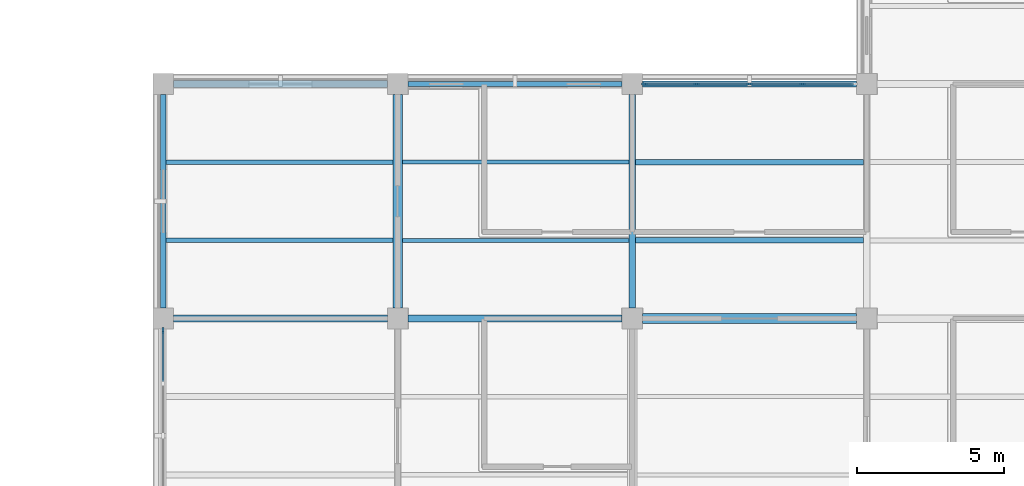
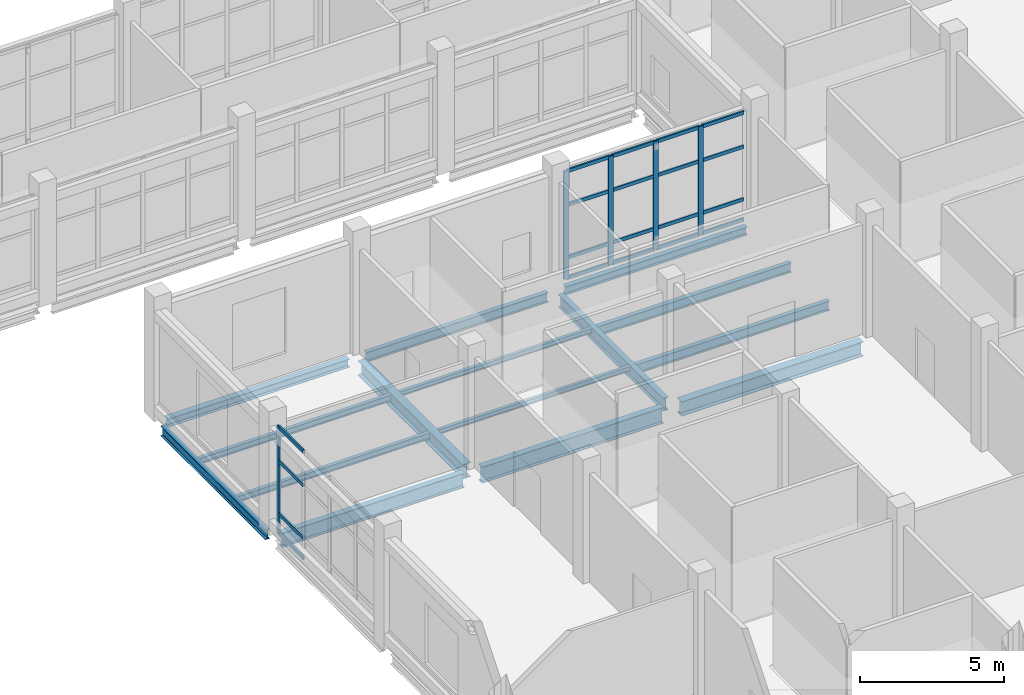
# One storey, part 36 of 105: 25 members, 15 beams, 2 elements without a shape of their own.
"""IFC4 building model written with IfcOpenShell, lengths in metres."""

from ifc_helpers import new_model, si_unit, derived_unit, direction, frame, origin, origin_2d, place, context, subcontext, project, spatial, rectangle, i_section, extrude, material, layer, layer_set, material_profile, profile_set, type_object, element, aggregate, save


model = new_model("IFC4")

# Units and contexts
model_context = context("Model", 3, precision=1e-05, world=origin(), true_north=direction((0.0, 1.0)))
body_context = subcontext(model_context, "Body", "Model", "MODEL_VIEW")
ifc_project = project(units=[si_unit("LENGTHUNIT", "METRE"), si_unit("AREAUNIT", "SQUARE_METRE"), si_unit("VOLUMEUNIT", "CUBIC_METRE"), si_unit("PLANEANGLEUNIT", "RADIAN"), si_unit("MASSUNIT", "GRAM", prefix="KILO"), derived_unit("THERMALTRANSMITTANCEUNIT", [(si_unit("MASSUNIT", "GRAM", prefix="KILO"), 1), (si_unit("TIMEUNIT", "SECOND"), -3), (si_unit("THERMODYNAMICTEMPERATUREUNIT", "KELVIN"), -1)])], contexts=[model_context])

# Site, building, storey
site_placement = place(None, origin())
site = spatial("IfcSite", under=ifc_project, at=site_placement, CompositionType="ELEMENT")
building_placement = place(site_placement, origin())
building = spatial("IfcBuilding", under=site, at=building_placement, Name="Veyamyaing Civic Hall", CompositionType="ELEMENT")
storey_placement = place(building_placement, origin())
storey = spatial("IfcBuildingStorey", under=building, at=storey_placement, Name="L00", CompositionType="ELEMENT", Elevation=0.0)

# Beams
ifc_material_1 = material(Name="Steel ASTM A992", Category="steel")
ifc_material_profile_1 = material_profile(ifc_material_1, i_section(OverallWidth=0.22998046875, OverallDepth=0.616943359375, WebThickness=0.01318359375, FlangeThickness=0.022216796875, FilletRadius=0.012939453125, at=origin_2d()), Name="W610X140")
ifc_profile_set_1 = profile_set([ifc_material_profile_1], Name="Steel ASTM A992")
beam_type_1 = type_object("IfcBeamType", Name="B-05", PredefinedType="BEAM", material=ifc_profile_set_1)
beam_1_placement = place(storey_placement, frame((136.35009765625, 32.0, -0.573486328125), z_axis=(1.0, 0.0, 0.0), x_axis=(0.0, 1.0, 0.0)))
element("IfcBeam", 1, at=beam_1_placement, inside=storey, type_object=beam_type_1, Name="Girder B-05 L00 Grid E 18-19", PredefinedType="BEAM", context=body_context, shape_type="SweptSolid", body=[
    extrude(i_section(OverallWidth=0.22998046875, OverallDepth=0.616943359375, WebThickness=0.01318359375, FlangeThickness=0.022216796875, FilletRadius=0.012939453125, at=origin_2d()), origin(), (0.0, 0.0, 1.0), 7.2998046875),
])
ifc_material_profile_2 = material_profile(ifc_material_1, i_section(OverallWidth=0.179931640625, OverallDepth=0.4130859375, WebThickness=0.009765625, FlangeThickness=0.01611328125, FilletRadius=0.010009765625, at=origin_2d()), Name="W410X74")
ifc_profile_set_2 = profile_set([ifc_material_profile_2], Name="Steel ASTM A992")
beam_type_2 = type_object("IfcBeamType", Name="B-10", PredefinedType="SPANDREL", material=ifc_profile_set_2)
beam_2_placement = place(storey_placement, frame((144.35009765625, 40.0, -0.471435546875), z_axis=(1.0, 0.0, 0.0), x_axis=(0.0, 1.0, 0.0)))
element("IfcBeam", 2, at=beam_2_placement, inside=storey, type_object=beam_type_2, Name="Girder B-10 L00 Grid F 19-20", PredefinedType="SPANDREL", context=body_context, shape_type="SweptSolid", body=[
    extrude(i_section(OverallWidth=0.179931640625, OverallDepth=0.4130859375, WebThickness=0.009765625, FlangeThickness=0.01611328125, FilletRadius=0.010009765625, at=origin_2d()), origin(), (0.0, 0.0, 1.0), 7.2998046875),
])
ifc_material_profile_3 = material_profile(ifc_material_1, i_section(OverallWidth=0.2041015625, OverallDepth=0.35009765625, WebThickness=0.0078125, FlangeThickness=0.01513671875, FilletRadius=0.010009765625, at=origin_2d()), Name="W360X72")
ifc_profile_set_3 = profile_set([ifc_material_profile_3], Name="Steel ASTM A992")
beam_type_3 = type_object("IfcBeamType", Name="B-11", PredefinedType="SPANDREL", material=ifc_profile_set_3)
beam_3_placement = place(storey_placement, frame((152.35009765625, 40.0, -0.43994140625), z_axis=(1.0, 0.0, 0.0), x_axis=(0.0, 1.0, 0.0)))
element("IfcBeam", 3, at=beam_3_placement, inside=storey, type_object=beam_type_3, Name="Girder B-11 L00 Grid F 20-21", PredefinedType="SPANDREL", context=body_context, shape_type="SweptSolid", body=[
    extrude(i_section(OverallWidth=0.2041015625, OverallDepth=0.35009765625, WebThickness=0.0078125, FlangeThickness=0.01513671875, FilletRadius=0.010009765625, at=origin_2d()), origin(), (0.0, 0.0, 1.0), 7.2998046875),
])
ifc_material_profile_4 = material_profile(ifc_material_1, i_section(OverallWidth=0.25390625, OverallDepth=0.68408203125, WebThickness=0.012451171875, FlangeThickness=0.01904296875, FilletRadius=0.013916015625, at=origin_2d()), Name="W690X140")
ifc_profile_set_4 = profile_set([ifc_material_profile_4], Name="Steel ASTM A992")
beam_type_4 = type_object("IfcBeamType", Name="B-14", PredefinedType="BEAM", material=ifc_profile_set_4)
beam_4_placement = place(storey_placement, frame((144.35009765625, 32.0, -0.60693359375), z_axis=(1.0, 0.0, 0.0), x_axis=(0.0, 1.0, 0.0)))
element("IfcBeam", 4, at=beam_4_placement, inside=storey, type_object=beam_type_4, Name="Girder B-14 L00 Grid E 19-20", PredefinedType="BEAM", context=body_context, shape_type="SweptSolid", body=[
    extrude(i_section(OverallWidth=0.25390625, OverallDepth=0.68408203125, WebThickness=0.012451171875, FlangeThickness=0.01904296875, FilletRadius=0.013916015625, at=origin_2d()), origin(), (0.0, 0.0, 1.0), 7.2998046875),
])
ifc_material_profile_5 = material_profile(ifc_material_1, i_section(OverallWidth=0.324951171875, OverallDepth=0.615966796875, WebThickness=0.013916015625, FlangeThickness=0.021484375, FilletRadius=0.013916015625, at=origin_2d()), Name="W610X174")
ifc_profile_set_5 = profile_set([ifc_material_profile_5], Name="Steel ASTM A992")
beam_type_5 = type_object("IfcBeamType", Name="B-15", PredefinedType="BEAM", material=ifc_profile_set_5)
for number, where, z_axis, x_axis, name in (
    (5, (152.35009765625, 32.0, -0.572998046875), (1.0, 0.0, 0.0), (0.0, 1.0, 0.0), "Girder B-15 L00 Grid E 20-21"),
    (6, (144.0, 32.35009765625, -0.572998046875), (0.0, 1.0, 0.0), (-1.0, 0.0, 0.0), "Girder B-15 L00 Grid 19 E-F"),
):
    element("IfcBeam", number, at=place(storey_placement, frame(where, z_axis=z_axis, x_axis=x_axis)), inside=storey, type_object=beam_type_5, Name=name, PredefinedType="BEAM", context=body_context, shape_type="SweptSolid", body=[
        extrude(i_section(OverallWidth=0.324951171875, OverallDepth=0.615966796875, WebThickness=0.013916015625, FlangeThickness=0.021484375, FilletRadius=0.013916015625, at=origin_2d()), origin(), (0.0, 0.0, 1.0), 7.2998046875),
    ])
ifc_material_profile_6 = material_profile(ifc_material_1, i_section(OverallWidth=0.214111328125, OverallDepth=0.549072265625, WebThickness=0.0146484375, FlangeThickness=0.023681640625, FilletRadius=0.011962890625, at=origin_2d()), Name="W530X138")
ifc_profile_set_6 = profile_set([ifc_material_profile_6], Name="Steel ASTM A992")
beam_type_6 = type_object("IfcBeamType", Name="B-16", PredefinedType="BEAM", material=ifc_profile_set_6)
beam_5_placement = place(storey_placement, frame((152.0, 32.35009765625, -0.53955078125), z_axis=(0.0, 1.0, 0.0), x_axis=(-1.0, 0.0, 0.0)))
element("IfcBeam", 7, at=beam_5_placement, inside=storey, type_object=beam_type_6, Name="Girder B-16 L00 Grid 20 E-F", PredefinedType="BEAM", context=body_context, shape_type="SweptSolid", body=[
    extrude(i_section(OverallWidth=0.214111328125, OverallDepth=0.549072265625, WebThickness=0.0146484375, FlangeThickness=0.023681640625, FilletRadius=0.011962890625, at=origin_2d()), origin(), (0.0, 0.0, 1.0), 7.2998046875),
])
ifc_material_profile_7 = material_profile(ifc_material_1, i_section(OverallWidth=0.180908203125, OverallDepth=0.4169921875, WebThickness=0.010986328125, FlangeThickness=0.018310546875, FilletRadius=0.010009765625, at=origin_2d()), Name="W410X85")
ifc_profile_set_7 = profile_set([ifc_material_profile_7], Name="Steel ASTM A992")
beam_type_7 = type_object("IfcBeamType", Name="B-19", PredefinedType="SPANDREL", material=ifc_profile_set_7)
beam_6_placement = place(storey_placement, frame((136.0, 32.35009765625, -0.473388671875), z_axis=(0.0, 1.0, 0.0), x_axis=(-1.0, 0.0, 0.0)))
element("IfcBeam", 8, at=beam_6_placement, inside=storey, type_object=beam_type_7, Name="Girder B-19 L00 Grid 18 E-F", PredefinedType="SPANDREL", context=body_context, shape_type="SweptSolid", body=[
    extrude(i_section(OverallWidth=0.180908203125, OverallDepth=0.4169921875, WebThickness=0.010986328125, FlangeThickness=0.018310546875, FilletRadius=0.010009765625, at=origin_2d()), origin(), (0.0, 0.0, 1.0), 7.2998046875),
])
ifc_material_profile_8 = material_profile(ifc_material_1, i_section(OverallWidth=0.25390625, OverallDepth=0.35302734375, WebThickness=0.009521484375, FlangeThickness=0.016357421875, FilletRadius=0.011962890625, at=origin_2d()), Name="W360X91")
ifc_profile_set_8 = profile_set([ifc_material_profile_8], Name="Steel ASTM A992")
beam_type_8 = type_object("IfcBeamType", Name="B-20", PredefinedType="SPANDREL", material=ifc_profile_set_8)
beam_7_placement = place(storey_placement, frame((136.35009765625, 40.0, -0.44140625), z_axis=(1.0, 0.0, 0.0), x_axis=(0.0, 1.0, 0.0)))
element("IfcBeam", 9, at=beam_7_placement, inside=storey, type_object=beam_type_8, Name="Girder B-20 L00 Grid F 18-19", PredefinedType="SPANDREL", context=body_context, shape_type="SweptSolid", body=[
    extrude(i_section(OverallWidth=0.25390625, OverallDepth=0.35302734375, WebThickness=0.009521484375, FlangeThickness=0.016357421875, FilletRadius=0.011962890625, at=origin_2d()), origin(), (0.0, 0.0, 1.0), 7.2998046875),
])

# Curtain wall, member
ifc_material_2 = material(Name="Anodised aluminium 6063-T6", Category="aluminium")
ifc_layer = layer(ifc_material_2, 0.199951171875, Name="Anodised aluminium 6063-T6")
ifc_layer_set = layer_set([ifc_layer], Name="Anodised aluminium 6063-T6")
curtain_wall_type = type_object("IfcCurtainWallType", Name="CW-10", PredefinedType="NOTDEFINED", material=ifc_layer_set)
curtain_wall_1_placement = place(storey_placement, origin())
curtain_wall_1 = element("IfcCurtainWall", 10, at=curtain_wall_1_placement, inside=storey, type_object=curtain_wall_type, Name="Unitized curtain wall CW-10 L00 W 18.4", PredefinedType="NOTDEFINED")
ifc_material_profile_9 = material_profile(ifc_material_2, rectangle(XDim=0.070068359375, YDim=0.199951171875, at=origin_2d()), Name="ALU-MUL-70X200")
ifc_profile_set_9 = profile_set([ifc_material_profile_9], Name="Anodised aluminium 6063-T6")
member_type_1 = type_object("IfcMemberType", Name="CWM-04", PredefinedType="MULLION", material=ifc_profile_set_9)
member_1_placement = place(storey_placement, frame((136.0, 31.5849609375, 0.0), z_axis=(0.0, 0.0, 1.0), x_axis=(-1.0, 0.0, 0.0)))
member_1 = element("IfcMember", 11, at=member_1_placement, type_object=member_type_1, Name="CW-10 mullion 5", PredefinedType="MULLION", context=body_context, shape_type="SweptSolid", body=[
    extrude(rectangle(XDim=0.070068359375, YDim=0.199951171875, at=origin_2d()), origin(), (0.0, 0.0, 1.0), 4.610107421875),
])

# Curtain wall, members
curtain_wall_2_placement = place(storey_placement, origin())
curtain_wall_2 = element("IfcCurtainWall", 12, at=curtain_wall_2_placement, inside=storey, type_object=curtain_wall_type, Name="Unitized curtain wall CW-10 L00 N 20.5", PredefinedType="NOTDEFINED")
member_2_placement = place(storey_placement, frame((152.4150390625, 40.0, 0.0), z_axis=(0.0, 0.0, 1.0), x_axis=(0.0, 1.0, 0.0)))
member_2 = element("IfcMember", 13, at=member_2_placement, type_object=member_type_1, Name="CW-10 mullion 1", PredefinedType="MULLION", context=body_context, shape_type="SweptSolid", body=[
    extrude(rectangle(XDim=0.070068359375, YDim=0.199951171875, at=origin_2d()), origin(), (0.0, 0.0, 1.0), 4.610107421875),
])
member_3_placement = place(storey_placement, frame((154.18994140625, 40.0, 0.0), z_axis=(0.0, 0.0, 1.0), x_axis=(0.0, 1.0, 0.0)))
member_3 = element("IfcMember", 14, at=member_3_placement, type_object=member_type_1, Name="CW-10 mullion 2", PredefinedType="MULLION", context=body_context, shape_type="SweptSolid", body=[
    extrude(rectangle(XDim=0.070068359375, YDim=0.199951171875, at=origin_2d()), origin(), (0.0, 0.0, 1.0), 4.610107421875),
])
member_4_placement = place(storey_placement, frame((156.0, 40.0, 0.0), z_axis=(0.0, 0.0, 1.0), x_axis=(0.0, 1.0, 0.0)))
member_4 = element("IfcMember", 15, at=member_4_placement, type_object=member_type_1, Name="CW-10 mullion 3", PredefinedType="MULLION", context=body_context, shape_type="SweptSolid", body=[
    extrude(rectangle(XDim=0.070068359375, YDim=0.199951171875, at=origin_2d()), origin(), (0.0, 0.0, 1.0), 4.610107421875),
])
member_5_placement = place(storey_placement, frame((157.81005859375, 40.0, 0.0), z_axis=(0.0, 0.0, 1.0), x_axis=(0.0, 1.0, 0.0)))
member_5 = element("IfcMember", 16, at=member_5_placement, type_object=member_type_1, Name="CW-10 mullion 4", PredefinedType="MULLION", context=body_context, shape_type="SweptSolid", body=[
    extrude(rectangle(XDim=0.070068359375, YDim=0.199951171875, at=origin_2d()), origin(), (0.0, 0.0, 1.0), 4.610107421875),
])

# Member
ifc_material_profile_10 = material_profile(ifc_material_2, rectangle(XDim=0.070068359375, YDim=0.14990234375, at=origin_2d()), Name="ALU-TRN-70X150")
ifc_profile_set_10 = profile_set([ifc_material_profile_10], Name="Anodised aluminium 6063-T6")
member_type_2 = type_object("IfcMemberType", Name="CWT-04", PredefinedType="USERDEFINED", material=ifc_profile_set_10)
member_6_placement = place(storey_placement, frame((136.0, 29.844970703125, 0.034912109375), z_axis=(0.0, 1.0, 0.0), x_axis=(-1.0, 0.0, 0.0)))
member_6 = element("IfcMember", 17, at=member_6_placement, type_object=member_type_2, Name="CW-10 transom 4.1", ObjectType="TRANSOM", PredefinedType="USERDEFINED", context=body_context, shape_type="SweptSolid", body=[
    extrude(rectangle(XDim=0.070068359375, YDim=0.14990234375, at=origin_2d()), origin(), (0.0, 0.0, 1.0), 1.705078125),
])

member_7_placement = place(storey_placement, frame((136.0, 29.844970703125, 0.89990234375), z_axis=(0.0, 1.0, 0.0), x_axis=(-1.0, 0.0, 0.0)))
member_7 = element("IfcMember", 18, at=member_7_placement, type_object=member_type_2, Name="CW-10 transom 4.2", ObjectType="TRANSOM", PredefinedType="USERDEFINED", context=body_context, shape_type="SweptSolid", body=[
    extrude(rectangle(XDim=0.070068359375, YDim=0.14990234375, at=origin_2d()), origin(), (0.0, 0.0, 1.0), 1.705078125),
])

member_8_placement = place(storey_placement, frame((136.0, 29.844970703125, 3.134765625), z_axis=(0.0, 1.0, 0.0), x_axis=(-1.0, 0.0, 0.0)))
member_8 = element("IfcMember", 19, at=member_8_placement, type_object=member_type_2, Name="CW-10 transom 4.3", ObjectType="TRANSOM", PredefinedType="USERDEFINED", context=body_context, shape_type="SweptSolid", body=[
    extrude(rectangle(XDim=0.070068359375, YDim=0.14990234375, at=origin_2d()), origin(), (0.0, 0.0, 1.0), 1.705078125),
])

member_9_placement = place(storey_placement, frame((136.0, 29.844970703125, 4.574951171875), z_axis=(0.0, 1.0, 0.0), x_axis=(-1.0, 0.0, 0.0)))
member_9 = element("IfcMember", 20, at=member_9_placement, type_object=member_type_2, Name="CW-10 transom 4.4", ObjectType="TRANSOM", PredefinedType="USERDEFINED", context=body_context, shape_type="SweptSolid", body=[
    extrude(rectangle(XDim=0.070068359375, YDim=0.14990234375, at=origin_2d()), origin(), (0.0, 0.0, 1.0), 1.705078125),
])

aggregate(curtain_wall_1, [member_1, member_6, member_7, member_8, member_9])

member_10_placement = place(storey_placement, frame((152.449951171875, 40.0, 0.034912109375), z_axis=(1.0, 0.0, 0.0), x_axis=(0.0, 1.0, 0.0)))
member_10 = element("IfcMember", 21, at=member_10_placement, type_object=member_type_2, Name="CW-10 transom 1.1", ObjectType="TRANSOM", PredefinedType="USERDEFINED", context=body_context, shape_type="SweptSolid", body=[
    extrude(rectangle(XDim=0.070068359375, YDim=0.14990234375, at=origin_2d()), origin(), (0.0, 0.0, 1.0), 1.705078125),
])

member_11_placement = place(storey_placement, frame((152.449951171875, 40.0, 0.89990234375), z_axis=(1.0, 0.0, 0.0), x_axis=(0.0, 1.0, 0.0)))
member_11 = element("IfcMember", 22, at=member_11_placement, type_object=member_type_2, Name="CW-10 transom 1.2", ObjectType="TRANSOM", PredefinedType="USERDEFINED", context=body_context, shape_type="SweptSolid", body=[
    extrude(rectangle(XDim=0.070068359375, YDim=0.14990234375, at=origin_2d()), origin(), (0.0, 0.0, 1.0), 1.705078125),
])

member_12_placement = place(storey_placement, frame((152.449951171875, 40.0, 3.134765625), z_axis=(1.0, 0.0, 0.0), x_axis=(0.0, 1.0, 0.0)))
member_12 = element("IfcMember", 23, at=member_12_placement, type_object=member_type_2, Name="CW-10 transom 1.3", ObjectType="TRANSOM", PredefinedType="USERDEFINED", context=body_context, shape_type="SweptSolid", body=[
    extrude(rectangle(XDim=0.070068359375, YDim=0.14990234375, at=origin_2d()), origin(), (0.0, 0.0, 1.0), 1.705078125),
])

member_13_placement = place(storey_placement, frame((152.449951171875, 40.0, 4.574951171875), z_axis=(1.0, 0.0, 0.0), x_axis=(0.0, 1.0, 0.0)))
member_13 = element("IfcMember", 24, at=member_13_placement, type_object=member_type_2, Name="CW-10 transom 1.4", ObjectType="TRANSOM", PredefinedType="USERDEFINED", context=body_context, shape_type="SweptSolid", body=[
    extrude(rectangle(XDim=0.070068359375, YDim=0.14990234375, at=origin_2d()), origin(), (0.0, 0.0, 1.0), 1.705078125),
])

member_14_placement = place(storey_placement, frame((154.22509765625, 40.0, 0.034912109375), z_axis=(1.0, 0.0, 0.0), x_axis=(0.0, 1.0, 0.0)))
member_14 = element("IfcMember", 25, at=member_14_placement, type_object=member_type_2, Name="CW-10 transom 2.1", ObjectType="TRANSOM", PredefinedType="USERDEFINED", context=body_context, shape_type="SweptSolid", body=[
    extrude(rectangle(XDim=0.070068359375, YDim=0.14990234375, at=origin_2d()), origin(), (0.0, 0.0, 1.0), 1.739990234375),
])

member_15_placement = place(storey_placement, frame((154.22509765625, 40.0, 0.89990234375), z_axis=(1.0, 0.0, 0.0), x_axis=(0.0, 1.0, 0.0)))
member_15 = element("IfcMember", 26, at=member_15_placement, type_object=member_type_2, Name="CW-10 transom 2.2", ObjectType="TRANSOM", PredefinedType="USERDEFINED", context=body_context, shape_type="SweptSolid", body=[
    extrude(rectangle(XDim=0.070068359375, YDim=0.14990234375, at=origin_2d()), origin(), (0.0, 0.0, 1.0), 1.739990234375),
])

member_16_placement = place(storey_placement, frame((154.22509765625, 40.0, 3.134765625), z_axis=(1.0, 0.0, 0.0), x_axis=(0.0, 1.0, 0.0)))
member_16 = element("IfcMember", 27, at=member_16_placement, type_object=member_type_2, Name="CW-10 transom 2.3", ObjectType="TRANSOM", PredefinedType="USERDEFINED", context=body_context, shape_type="SweptSolid", body=[
    extrude(rectangle(XDim=0.070068359375, YDim=0.14990234375, at=origin_2d()), origin(), (0.0, 0.0, 1.0), 1.739990234375),
])

member_17_placement = place(storey_placement, frame((154.22509765625, 40.0, 4.574951171875), z_axis=(1.0, 0.0, 0.0), x_axis=(0.0, 1.0, 0.0)))
member_17 = element("IfcMember", 28, at=member_17_placement, type_object=member_type_2, Name="CW-10 transom 2.4", ObjectType="TRANSOM", PredefinedType="USERDEFINED", context=body_context, shape_type="SweptSolid", body=[
    extrude(rectangle(XDim=0.070068359375, YDim=0.14990234375, at=origin_2d()), origin(), (0.0, 0.0, 1.0), 1.739990234375),
])

member_18_placement = place(storey_placement, frame((156.034912109375, 40.0, 0.034912109375), z_axis=(1.0, 0.0, 0.0), x_axis=(0.0, 1.0, 0.0)))
member_18 = element("IfcMember", 29, at=member_18_placement, type_object=member_type_2, Name="CW-10 transom 3.1", ObjectType="TRANSOM", PredefinedType="USERDEFINED", context=body_context, shape_type="SweptSolid", body=[
    extrude(rectangle(XDim=0.070068359375, YDim=0.14990234375, at=origin_2d()), origin(), (0.0, 0.0, 1.0), 1.739990234375),
])

member_19_placement = place(storey_placement, frame((156.034912109375, 40.0, 0.89990234375), z_axis=(1.0, 0.0, 0.0), x_axis=(0.0, 1.0, 0.0)))
member_19 = element("IfcMember", 30, at=member_19_placement, type_object=member_type_2, Name="CW-10 transom 3.2", ObjectType="TRANSOM", PredefinedType="USERDEFINED", context=body_context, shape_type="SweptSolid", body=[
    extrude(rectangle(XDim=0.070068359375, YDim=0.14990234375, at=origin_2d()), origin(), (0.0, 0.0, 1.0), 1.739990234375),
])

member_20_placement = place(storey_placement, frame((156.034912109375, 40.0, 3.134765625), z_axis=(1.0, 0.0, 0.0), x_axis=(0.0, 1.0, 0.0)))
member_20 = element("IfcMember", 31, at=member_20_placement, type_object=member_type_2, Name="CW-10 transom 3.3", ObjectType="TRANSOM", PredefinedType="USERDEFINED", context=body_context, shape_type="SweptSolid", body=[
    extrude(rectangle(XDim=0.070068359375, YDim=0.14990234375, at=origin_2d()), origin(), (0.0, 0.0, 1.0), 1.739990234375),
])

member_21_placement = place(storey_placement, frame((156.034912109375, 40.0, 4.574951171875), z_axis=(1.0, 0.0, 0.0), x_axis=(0.0, 1.0, 0.0)))
member_21 = element("IfcMember", 32, at=member_21_placement, type_object=member_type_2, Name="CW-10 transom 3.4", ObjectType="TRANSOM", PredefinedType="USERDEFINED", context=body_context, shape_type="SweptSolid", body=[
    extrude(rectangle(XDim=0.070068359375, YDim=0.14990234375, at=origin_2d()), origin(), (0.0, 0.0, 1.0), 1.739990234375),
])

member_22_placement = place(storey_placement, frame((157.844970703125, 40.0, 0.034912109375), z_axis=(1.0, 0.0, 0.0), x_axis=(0.0, 1.0, 0.0)))
member_22 = element("IfcMember", 33, at=member_22_placement, type_object=member_type_2, Name="CW-10 transom 4.1", ObjectType="TRANSOM", PredefinedType="USERDEFINED", context=body_context, shape_type="SweptSolid", body=[
    extrude(rectangle(XDim=0.070068359375, YDim=0.14990234375, at=origin_2d()), origin(), (0.0, 0.0, 1.0), 1.705078125),
])

member_23_placement = place(storey_placement, frame((157.844970703125, 40.0, 0.89990234375), z_axis=(1.0, 0.0, 0.0), x_axis=(0.0, 1.0, 0.0)))
member_23 = element("IfcMember", 34, at=member_23_placement, type_object=member_type_2, Name="CW-10 transom 4.2", ObjectType="TRANSOM", PredefinedType="USERDEFINED", context=body_context, shape_type="SweptSolid", body=[
    extrude(rectangle(XDim=0.070068359375, YDim=0.14990234375, at=origin_2d()), origin(), (0.0, 0.0, 1.0), 1.705078125),
])

member_24_placement = place(storey_placement, frame((157.844970703125, 40.0, 3.134765625), z_axis=(1.0, 0.0, 0.0), x_axis=(0.0, 1.0, 0.0)))
member_24 = element("IfcMember", 35, at=member_24_placement, type_object=member_type_2, Name="CW-10 transom 4.3", ObjectType="TRANSOM", PredefinedType="USERDEFINED", context=body_context, shape_type="SweptSolid", body=[
    extrude(rectangle(XDim=0.070068359375, YDim=0.14990234375, at=origin_2d()), origin(), (0.0, 0.0, 1.0), 1.705078125),
])

member_25_placement = place(storey_placement, frame((157.844970703125, 40.0, 4.574951171875), z_axis=(1.0, 0.0, 0.0), x_axis=(0.0, 1.0, 0.0)))
member_25 = element("IfcMember", 36, at=member_25_placement, type_object=member_type_2, Name="CW-10 transom 4.4", ObjectType="TRANSOM", PredefinedType="USERDEFINED", context=body_context, shape_type="SweptSolid", body=[
    extrude(rectangle(XDim=0.070068359375, YDim=0.14990234375, at=origin_2d()), origin(), (0.0, 0.0, 1.0), 1.705078125),
])

aggregate(curtain_wall_2, [member_2, member_3, member_4, member_5, member_10, member_11, member_12, member_13, member_14, member_15, member_16, member_17, member_18, member_19, member_20, member_21, member_22, member_23, member_24, member_25])

# Beams
ifc_material_profile_11 = material_profile(ifc_material_1, i_section(OverallWidth=0.177978515625, OverallDepth=0.406982421875, WebThickness=0.0078125, FlangeThickness=0.0126953125, FilletRadius=0.010009765625, at=origin_2d()), Name="W410X60")
ifc_profile_set_11 = profile_set([ifc_material_profile_11], Name="Steel ASTM A992")
beam_type_9 = type_object("IfcBeamType", Name="J-01", PredefinedType="JOIST", material=ifc_profile_set_11)
for number, where, z_axis, x_axis, name in (
    (37, (152.10498046875, 34.666748046875, -0.468505859375), (1.0, 0.0, 0.0), (0.0, 1.0, 0.0), "Composite floor joist J-01 L00 20.5.1"),
    (38, (152.10498046875, 37.333251953125, -0.468505859375), (1.0, 0.0, 0.0), (0.0, 1.0, 0.0), "Composite floor joist J-01 L00 20.5.2"),
):
    element("IfcBeam", number, at=place(storey_placement, frame(where, z_axis=z_axis, x_axis=x_axis)), inside=storey, type_object=beam_type_9, Name=name, PredefinedType="JOIST", context=body_context, shape_type="SweptSolid", body=[
        extrude(i_section(OverallWidth=0.177978515625, OverallDepth=0.406982421875, WebThickness=0.0078125, FlangeThickness=0.0126953125, FilletRadius=0.010009765625, at=origin_2d()), origin(), (0.0, 0.0, 1.0), 7.781982421875),
    ])
ifc_material_profile_12 = material_profile(ifc_material_1, i_section(OverallWidth=0.14794921875, OverallDepth=0.26611328125, WebThickness=0.007568359375, FlangeThickness=0.012939453125, FilletRadius=0.010009765625, at=origin_2d()), Name="W250X45")
ifc_profile_set_12 = profile_set([ifc_material_profile_12], Name="Steel ASTM A992")
beam_type_10 = type_object("IfcBeamType", Name="J-07", PredefinedType="JOIST", material=ifc_profile_set_12)
for number, where, z_axis, x_axis, name in (
    (39, (136.08837890625, 34.666748046875, -0.39794921875), (1.0, 0.0, 0.0), (0.0, 1.0, 0.0), "Composite floor joist J-07 L00 18.5.1"),
    (40, (136.08837890625, 37.333251953125, -0.39794921875), (1.0, 0.0, 0.0), (0.0, 1.0, 0.0), "Composite floor joist J-07 L00 18.5.2"),
):
    element("IfcBeam", number, at=place(storey_placement, frame(where, z_axis=z_axis, x_axis=x_axis)), inside=storey, type_object=beam_type_10, Name=name, PredefinedType="JOIST", context=body_context, shape_type="SweptSolid", body=[
        extrude(i_section(OverallWidth=0.14794921875, OverallDepth=0.26611328125, WebThickness=0.007568359375, FlangeThickness=0.012939453125, FilletRadius=0.010009765625, at=origin_2d()), origin(), (0.0, 0.0, 1.0), 7.751220703125),
    ])
ifc_material_profile_13 = material_profile(ifc_material_1, i_section(OverallWidth=0.133056640625, OverallDepth=0.20703125, WebThickness=0.005859375, FlangeThickness=0.00830078125, FilletRadius=0.010009765625, at=origin_2d()), Name="W200X27")
ifc_profile_set_13 = profile_set([ifc_material_profile_13], Name="Steel ASTM A992")
beam_type_11 = type_object("IfcBeamType", Name="J-08", PredefinedType="JOIST", material=ifc_profile_set_13)
for number, where, z_axis, x_axis, name in (
    (41, (144.160400390625, 34.666748046875, -0.368408203125), (1.0, 0.0, 0.0), (0.0, 1.0, 0.0), "Composite floor joist J-08 L00 19.5.1"),
    (42, (144.160400390625, 37.333251953125, -0.368408203125), (1.0, 0.0, 0.0), (0.0, 1.0, 0.0), "Composite floor joist J-08 L00 19.5.2"),
):
    element("IfcBeam", number, at=place(storey_placement, frame(where, z_axis=z_axis, x_axis=x_axis)), inside=storey, type_object=beam_type_11, Name=name, PredefinedType="JOIST", context=body_context, shape_type="SweptSolid", body=[
        extrude(i_section(OverallWidth=0.133056640625, OverallDepth=0.20703125, WebThickness=0.005859375, FlangeThickness=0.00830078125, FilletRadius=0.010009765625, at=origin_2d()), origin(), (0.0, 0.0, 1.0), 7.734619140625),
    ])

save(model, "model.ifc")
